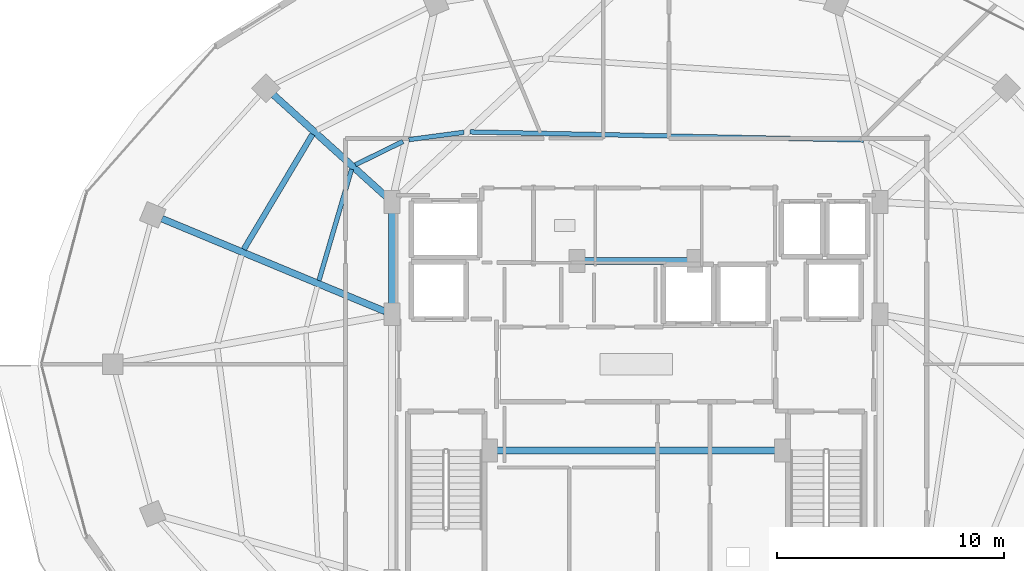
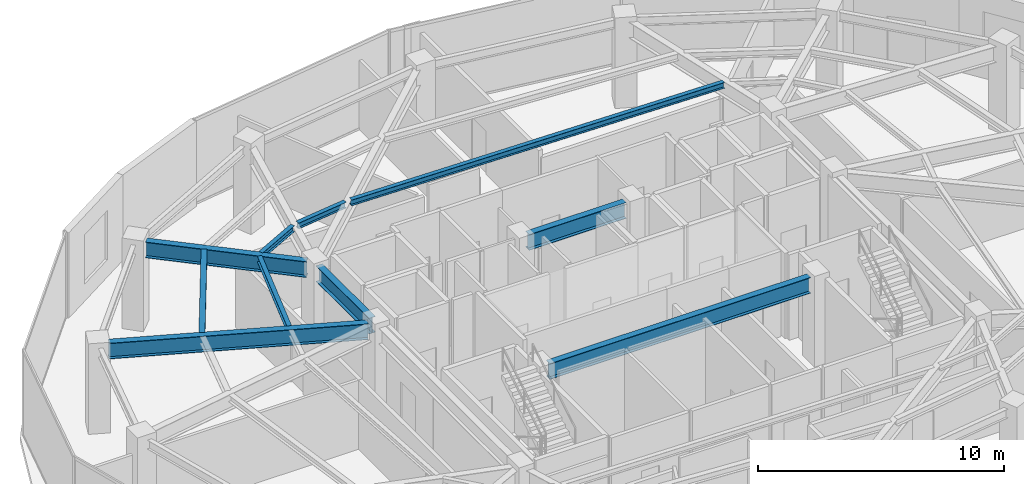
# One storey, part 10 of 27: 10 beams.
"""IFC4 building model written with IfcOpenShell, lengths in metres."""

import ifcopenshell
import ifcopenshell.guid

model = None  # the IFC model being written
_history = None  # IfcOwnerHistory: only IFC2X3 demands one
_inside = {}  # id of a spatial element -> (the spatial element, [elements in it])
_under = {}  # id of a project, library or spatial element -> (it, [spatial elements below it])
_declared = {}  # id of a project -> (the project, [libraries it declares])
_typed = {}  # id of a type object -> (the type object, [elements of that type])
_made_of = {}  # id of a material, layer set ... -> (it, [elements and type objects made of it])


def new_model(schema):
    """Start an empty IFC model of exactly this schema.

    Asked for "IFC4X3", IfcOpenShell would pick the latest addendum, in which some entities
    have other attributes; the version numbers below select the first issue.
    IFC2X3 requires an IfcOwnerHistory on every rooted entity: one is made here for all.
    """
    global model, _history
    if schema == "IFC4X3":
        model = ifcopenshell.file(schema_version=(4, 3, 0, 0))
    else:
        model = ifcopenshell.file(schema=schema)
    _inside.clear()
    _under.clear()
    _declared.clear()
    _typed.clear()
    _made_of.clear()
    _history = None
    if model.schema == "IFC2X3":
        org = make("IfcOrganization", Name="unknown")
        user = make(
            "IfcPersonAndOrganization",
            ThePerson=make("IfcPerson", FamilyName="unknown"),
            TheOrganization=org,
        )
        app = make(
            "IfcApplication",
            ApplicationDeveloper=org,
            Version="unknown",
            ApplicationFullName="unknown",
            ApplicationIdentifier="unknown",
        )
        _history = make(
            "IfcOwnerHistory",
            OwningUser=user,
            OwningApplication=app,
            ChangeAction="ADDED",
            CreationDate=0,
        )
    return model


def make(cls, **values):
    """One entity of the class cls with the attributes given. An attribute that is None is left unset."""
    return model.create_entity(
        cls, **{name: value for name, value in values.items() if value is not None}
    )


def rooted(cls, **values):
    """An entity with a GlobalId (a new one), such as an element, a storey or a relation."""
    return make(cls, GlobalId=ifcopenshell.guid.new(), OwnerHistory=_history, **values)


def si_unit(unit_type, name, prefix=None):
    """IfcSIUnit, for example si_unit("LENGTHUNIT", "METRE", prefix="MILLI")."""
    return make("IfcSIUnit", UnitType=unit_type, Prefix=prefix, Name=name)


def assignment(units):
    """IfcUnitAssignment: the units of a project."""
    return None if units is None else make("IfcUnitAssignment", Units=units)


def point(xyz):
    """IfcCartesianPoint."""
    return None if xyz is None else make("IfcCartesianPoint", Coordinates=xyz)


def direction(xyz):
    """IfcDirection."""
    return None if xyz is None else make("IfcDirection", DirectionRatios=xyz)


def frame(location, z_axis=None, x_axis=None):
    """IfcAxis2Placement3D, a coordinate frame: its origin and axes. An axis left out is left unset."""
    return make(
        "IfcAxis2Placement3D",
        Location=point(location),
        Axis=direction(z_axis),
        RefDirection=direction(x_axis),
    )


def frame_2d(location, x_axis=None):
    """IfcAxis2Placement2D, a coordinate frame in the plane: its origin and x axis."""
    return make(
        "IfcAxis2Placement2D", Location=point(location), RefDirection=direction(x_axis)
    )


def origin():
    """The frame at (0, 0, 0) with its axes left unset."""
    return frame((0.0, 0.0, 0.0))


def origin_2d():
    """The frame at (0, 0) in the plane with its x axis left unset."""
    return frame_2d((0.0, 0.0))


def place(relative_to, where):
    """IfcLocalPlacement: puts the frame where relative to a parent placement (None: the world)."""
    return make(
        "IfcLocalPlacement", PlacementRelTo=relative_to, RelativePlacement=where
    )


def context(
    kind, dimensions, precision=None, world=None, true_north=None, identifier=None
):
    """IfcGeometricRepresentationContext, for example the 3D "Model" context."""
    return make(
        "IfcGeometricRepresentationContext",
        ContextIdentifier=identifier,
        ContextType=kind,
        CoordinateSpaceDimension=dimensions,
        Precision=precision,
        WorldCoordinateSystem=world,
        TrueNorth=true_north,
    )


def subcontext(parent, identifier, kind, view, scale=None):
    """IfcGeometricRepresentationSubContext, for example "Body" below "Model"."""
    return make(
        "IfcGeometricRepresentationSubContext",
        ContextIdentifier=identifier,
        ContextType=kind,
        ParentContext=parent,
        TargetScale=scale,
        TargetView=view,
    )


def project(units=None, contexts=None):
    """IfcProject with its units and contexts."""
    return rooted(
        "IfcProject",
        Name="project",
        RepresentationContexts=contexts,
        UnitsInContext=assignment(units),
    )


def spatial(cls, under=None, at=None, **own):
    """A site, building, storey or space (cls), placed at a placement, below another one or the project."""
    s = rooted(cls, ObjectPlacement=at, **own)
    if under is not None:
        _under.setdefault(under.id(), (under, []))[1].append(s)
    return s


def profile(cls, at=None, kind="AREA", **sizes):
    """A parametric profile (cls). Its sizes go by their IFC names, for example OverallWidth=200.0."""
    return make(cls, ProfileType=kind, Position=at, **sizes)


def i_section(**sizes):
    """IfcIShapeProfileDef."""
    return profile("IfcIShapeProfileDef", **sizes)


def extrude(swept, where, along, depth):
    """IfcExtrudedAreaSolid: the profile swept, set in the frame where, extruded along a direction by depth."""
    return make(
        "IfcExtrudedAreaSolid",
        SweptArea=swept,
        Position=where,
        ExtrudedDirection=direction(along),
        Depth=depth,
    )


def shape(context_of_items, identifier, shape_type, items):
    """IfcShapeRepresentation: the items that make up one representation, for example the "Body"."""
    return make(
        "IfcShapeRepresentation",
        ContextOfItems=context_of_items,
        RepresentationIdentifier=identifier,
        RepresentationType=shape_type,
        Items=items,
    )


def material(Name=None, Category=None):
    """IfcMaterial."""
    return make("IfcMaterial", Name=Name, Category=Category)


def material_profile(
    of_material, cross_section, Name=None, Category=None, Priority=None
):
    """IfcMaterialProfile: a cross section and its material."""
    return make(
        "IfcMaterialProfile",
        Name=Name,
        Material=of_material,
        Profile=cross_section,
        Priority=Priority,
        Category=Category,
    )


def profile_set(profiles, Name=None, composite=None):
    """IfcMaterialProfileSet."""
    return make(
        "IfcMaterialProfileSet",
        Name=Name,
        MaterialProfiles=profiles,
        CompositeProfile=composite,
    )


def made_of(thing, what):
    """Note that an element or type object is made of a material, layer set ...; save() writes the relation."""
    if what is not None:
        _made_of.setdefault(what.id(), (what, []))[1].append(thing)
    return thing


def type_object(cls, material=None, **own):
    """A type object (cls), such as IfcWallType, which elements share."""
    return made_of(rooted(cls, **own), material)


def element(
    cls,
    number,
    at=None,
    inside=None,
    cuts=None,
    type_object=None,
    material=None,
    context=None,
    identifier="Body",
    shape_type=None,
    held_by="IfcProductDefinitionShape",
    body=None,
    shapes=None,
    **own,
):
    """One element of the class cls, such as IfcWall. Its Tag is "e" and its number.

    at: its placement. inside: the storey or other place that contains it. cuts: it is an
    opening in that element (IfcRelVoidsElement). A single representation is given by context,
    identifier, shape_type and body (its items); several are given by shapes. held_by: the class
    of the entity that holds the representations. save() writes the other relations.
    """
    e = rooted(cls, Tag="e%d" % number, ObjectPlacement=at, **own)
    if body is not None:
        shapes = [shape(context, identifier, shape_type, body)]
    if shapes is not None:
        e.Representation = make(held_by, Representations=shapes)
    if inside is not None:
        _inside.setdefault(inside.id(), (inside, []))[1].append(e)
    if cuts is not None:
        rooted(
            "IfcRelVoidsElement", RelatingBuildingElement=cuts, RelatedOpeningElement=e
        )
    if type_object is not None:
        _typed.setdefault(type_object.id(), (type_object, []))[1].append(e)
    return made_of(e, material)


def aggregate(whole, parts):
    """IfcRelAggregates: a whole, such as a stair, and the parts it consists of."""
    return rooted("IfcRelAggregates", RelatingObject=whole, RelatedObjects=parts)


def save(model, path):
    """Write the relations noted so far, then the file.

    IfcRelAggregates (storeys below a building ...), IfcRelContainedInSpatialStructure (elements
    in a storey), IfcRelDefinesByType, IfcRelAssociatesMaterial and IfcRelDeclares: one each for
    every whole, place, type object, material and project.
    """
    for whole, parts in _under.values():
        aggregate(whole, parts)
    for where, things in _inside.values():
        rooted(
            "IfcRelContainedInSpatialStructure",
            RelatedElements=things,
            RelatingStructure=where,
        )
    for kind, things in _typed.values():
        rooted("IfcRelDefinesByType", RelatedObjects=things, RelatingType=kind)
    for what, things in _made_of.values():
        rooted("IfcRelAssociatesMaterial", RelatedObjects=things, RelatingMaterial=what)
    for by, libraries in _declared.values():
        rooted("IfcRelDeclares", RelatingContext=by, RelatedDefinitions=libraries)
    model.write(path)


model = new_model("IFC4")

# Units and contexts
model_context = context("Model", 3, precision=1e-05, world=origin(), true_north=direction((0.0, 1.0)))
body_context = subcontext(model_context, "Body", "Model", "MODEL_VIEW")
ifc_project = project(units=[si_unit("LENGTHUNIT", "METRE"), si_unit("AREAUNIT", "SQUARE_METRE"), si_unit("VOLUMEUNIT", "CUBIC_METRE"), si_unit("PLANEANGLEUNIT", "RADIAN"), si_unit("MASSUNIT", "GRAM", prefix="KILO")], contexts=[model_context])

# Site, building, storey
site_placement = place(None, origin())
site = spatial("IfcSite", under=ifc_project, at=site_placement, CompositionType="ELEMENT")
building_placement = place(site_placement, origin())
building = spatial("IfcBuilding", under=site, at=building_placement, Name="Vorneva Point Tower", CompositionType="ELEMENT")
storey_placement = place(building_placement, frame((0.0, 0.0, 229.75)))
storey = spatial("IfcBuildingStorey", under=building, at=storey_placement, Name="L62", CompositionType="ELEMENT", Elevation=229.75)

# Beams
ifc_material = material(Name="Steel S355", Category="steel")
ifc_material_profile_1 = material_profile(ifc_material, i_section(OverallWidth=0.300048828125, OverallDepth=0.7880859375, WebThickness=0.014404296875, FlangeThickness=0.02197265625, at=origin_2d()), Name="80Sh1")
ifc_profile_set_1 = profile_set([ifc_material_profile_1], Name="Steel S355")
beam_type_1 = type_object("IfcBeamType", Name="BM-GRD-80Sh1", PredefinedType="USERDEFINED", material=ifc_profile_set_1)
beam_1_placement = place(storey_placement, frame((22.026123046875, 37.86865234375, 3.845947265625), z_axis=(0.742089778537, -0.670300500217, 0.0), x_axis=(0.670300500217, 0.742089778537, 0.0)))
element("IfcBeam", 1, at=beam_1_placement, inside=storey, type_object=beam_type_1, Name="L62 Radial Primary Girder 07", ObjectType="GIRDER", PredefinedType="USERDEFINED", context=body_context, shape_type="SweptSolid", body=[
    extrude(i_section(OverallWidth=0.300048828125, OverallDepth=0.7880859375, WebThickness=0.014404296875, FlangeThickness=0.02197265625, at=origin_2d()), origin(), (0.0, 0.0, 1.0), 6.699462890625),
])
beam_2_placement = place(storey_placement, frame((17.109130859375, 32.4140625, 3.845947265625), z_axis=(0.923445067159, -0.383730645035, 0.0), x_axis=(0.383730645035, 0.923445067159, 0.0)))
element("IfcBeam", 2, at=beam_2_placement, inside=storey, type_object=beam_type_1, Name="L62 Radial Primary Girder 08", ObjectType="GIRDER", PredefinedType="USERDEFINED", context=body_context, shape_type="SweptSolid", body=[
    extrude(i_section(OverallWidth=0.300048828125, OverallDepth=0.7880859375, WebThickness=0.014404296875, FlangeThickness=0.02197265625, at=origin_2d()), origin(), (0.0, 0.0, 1.0), 10.6416015625),
])
beam_3_placement = place(storey_placement, frame((27.25, 28.52001953125, 3.845947265625), z_axis=(0.0, 1.0, 0.0), x_axis=(-1.0, 0.0, 0.0)))
element("IfcBeam", 3, at=beam_3_placement, inside=storey, type_object=beam_type_1, Name="L62 Core Tie Girder CT2", ObjectType="GIRDER", PredefinedType="USERDEFINED", context=body_context, shape_type="SweptSolid", body=[
    extrude(i_section(OverallWidth=0.300048828125, OverallDepth=0.7880859375, WebThickness=0.014404296875, FlangeThickness=0.02197265625, at=origin_2d()), origin(), (0.0, 0.0, 1.0), 4.31005859375),
])
beam_4_placement = place(storey_placement, frame((35.719970703125, 30.550048828125, 3.845947265625), z_axis=(1.0, 0.0, 0.0), x_axis=(0.0, 1.0, 0.0)))
element("IfcBeam", 4, at=beam_4_placement, inside=storey, type_object=beam_type_1, Name="L62 Core Tie Girder CT8", ObjectType="GIRDER", PredefinedType="USERDEFINED", context=body_context, shape_type="SweptSolid", body=[
    extrude(i_section(OverallWidth=0.300048828125, OverallDepth=0.7880859375, WebThickness=0.014404296875, FlangeThickness=0.02197265625, at=origin_2d()), origin(), (0.0, 0.0, 1.0), 4.56005859375),
])
beam_5_placement = place(storey_placement, frame((31.8701171875, 22.199951171875, 3.845947265625), z_axis=(1.0, 0.0, 0.0), x_axis=(0.0, 1.0, 0.0)))
element("IfcBeam", 5, at=beam_5_placement, inside=storey, type_object=beam_type_1, Name="L62 Core Tie Girder CT7", ObjectType="GIRDER", PredefinedType="USERDEFINED", context=body_context, shape_type="SweptSolid", body=[
    extrude(i_section(OverallWidth=0.300048828125, OverallDepth=0.7880859375, WebThickness=0.014404296875, FlangeThickness=0.02197265625, at=origin_2d()), origin(), (0.0, 0.0, 1.0), 12.259765625),
])
ifc_material_profile_2 = material_profile(ifc_material, i_section(OverallWidth=0.199951171875, OverallDepth=0.291015625, WebThickness=0.008056640625, FlangeThickness=0.010986328125, at=origin_2d()), Name="30Sh1")
ifc_profile_set_2 = profile_set([ifc_material_profile_2], Name="Steel S355")
beam_type_2 = type_object("IfcBeamType", Name="BM-SEC-30Sh1", PredefinedType="BEAM", material=ifc_profile_set_2)
beam_6_placement = place(storey_placement, frame((48.01025390625, 35.879150390625, 4.094482421875), z_axis=(-0.999788862622, 0.020548240227, 0.0), x_axis=(-0.020548240227, -0.999788862622, 0.0)))
element("IfcBeam", 6, at=beam_6_placement, inside=storey, type_object=beam_type_2, Name="L62 Secondary Floor Beam 2.04", PredefinedType="BEAM", context=body_context, shape_type="SweptSolid", body=[
    extrude(i_section(OverallWidth=0.199951171875, OverallDepth=0.291015625, WebThickness=0.008056640625, FlangeThickness=0.010986328125, at=origin_2d()), origin(), (0.0, 0.0, 1.0), 17.322998046875),
])
beam_7_placement = place(storey_placement, frame((30.416015625, 36.219482421875, 4.094482421875), z_axis=(-0.991158988789, -0.132679534756, 0.0), x_axis=(0.132679534756, -0.991158988789, 0.0)))
element("IfcBeam", 7, at=beam_7_placement, inside=storey, type_object=beam_type_2, Name="L62 Secondary Floor Beam 2.05", PredefinedType="BEAM", context=body_context, shape_type="SweptSolid", body=[
    extrude(i_section(OverallWidth=0.199951171875, OverallDepth=0.291015625, WebThickness=0.008056640625, FlangeThickness=0.010986328125, at=origin_2d()), origin(), (0.0, 0.0, 1.0), 2.44921875),
])
beam_8_placement = place(storey_placement, frame((27.727783203125, 35.8154296875, 4.094482421875), z_axis=(-0.897704429199, -0.440598181789, 0.0), x_axis=(0.440598181789, -0.897704429199, 0.0)))
element("IfcBeam", 8, at=beam_8_placement, inside=storey, type_object=beam_type_2, Name="L62 Secondary Floor Beam 2.06", PredefinedType="BEAM", context=body_context, shape_type="SweptSolid", body=[
    extrude(i_section(OverallWidth=0.199951171875, OverallDepth=0.291015625, WebThickness=0.008056640625, FlangeThickness=0.010986328125, at=origin_2d()), origin(), (0.0, 0.0, 1.0), 2.336669921875),
])
beam_9_placement = place(storey_placement, frame((25.46728515625, 34.5927734375, 4.094482421875), z_axis=(-0.281778448701, -0.959479497357, 0.0), x_axis=(0.959479497357, -0.281778448701, 0.0)))
element("IfcBeam", 9, at=beam_9_placement, inside=storey, type_object=beam_type_2, Name="L62 Secondary Floor Beam 2.07", PredefinedType="BEAM", context=body_context, shape_type="SweptSolid", body=[
    extrude(i_section(OverallWidth=0.199951171875, OverallDepth=0.291015625, WebThickness=0.008056640625, FlangeThickness=0.010986328125, at=origin_2d()), origin(), (0.0, 0.0, 1.0), 5.11181640625),
])
ifc_material_profile_3 = material_profile(ifc_material, i_section(OverallWidth=0.2490234375, OverallDepth=0.333984375, WebThickness=0.008056640625, FlangeThickness=0.010986328125, at=origin_2d()), Name="35Sh1")
ifc_profile_set_3 = profile_set([ifc_material_profile_3], Name="Steel S355")
beam_type_3 = type_object("IfcBeamType", Name="BM-SEC-35Sh1", PredefinedType="BEAM", material=ifc_profile_set_3)
beam_10_placement = place(storey_placement, frame((23.7451171875, 36.133544921875, 4.072998046875), z_axis=(-0.512622198489, -0.858614279882, 0.0), x_axis=(0.858614279882, -0.512622198489, 0.0)))
element("IfcBeam", 10, at=beam_10_placement, inside=storey, type_object=beam_type_3, Name="L62 Secondary Floor Beam 1.07", PredefinedType="BEAM", context=body_context, shape_type="SweptSolid", body=[
    extrude(i_section(OverallWidth=0.2490234375, OverallDepth=0.333984375, WebThickness=0.008056640625, FlangeThickness=0.010986328125, at=origin_2d()), origin(), (0.0, 0.0, 1.0), 5.906005859375),
])

save(model, "model.ifc")
